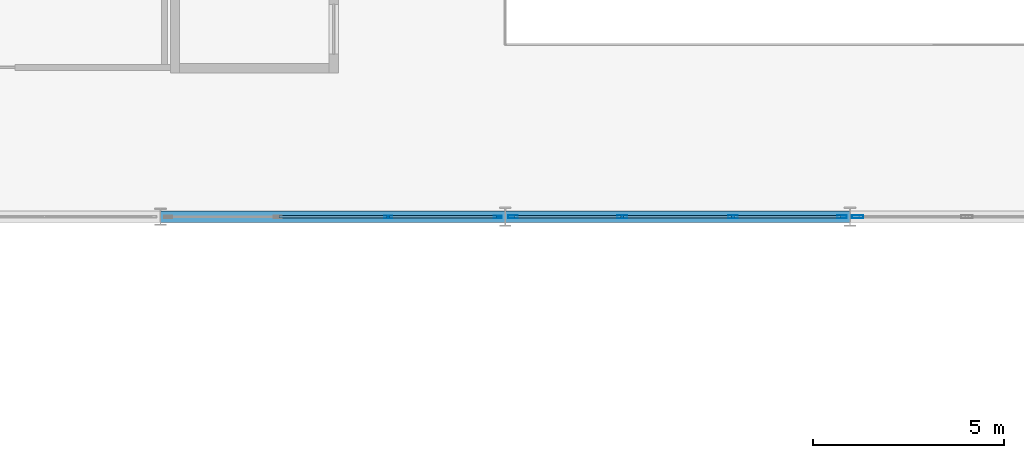
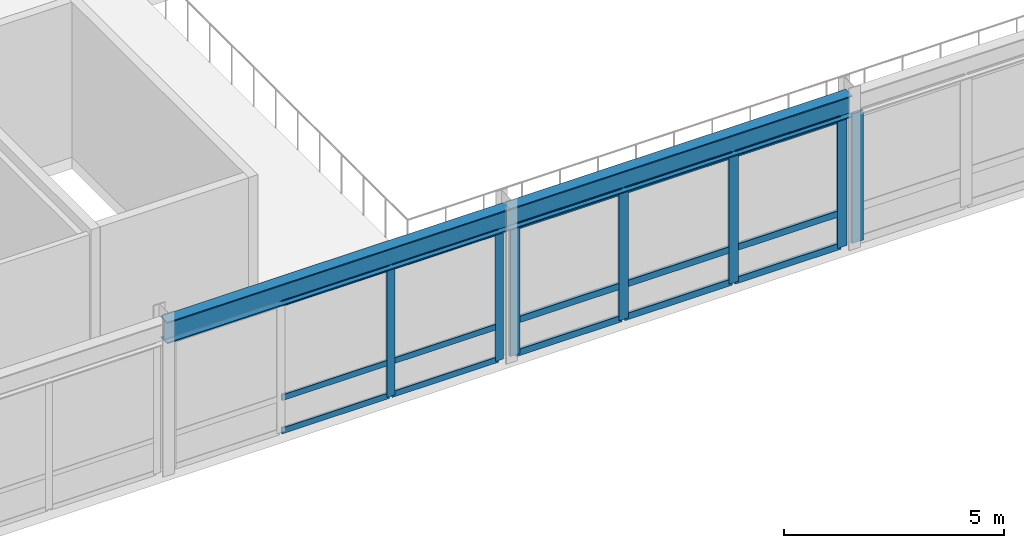
# One storey, part 53 of 115: 22 members, 2 beams, 3 elements without a shape of their own.
"""IFC4 building model written with IfcOpenShell, lengths in metres."""

from ifc_helpers import new_model, si_unit, direction, frame, origin, origin_2d, place, context, subcontext, project, spatial, hollow_rectangle, i_section, extrude, material, layer, layer_set, material_profile, profile_set, type_object, element, aggregate, save


model = new_model("IFC4")

# Units and contexts
model_context = context("Model", 3, precision=1e-05, world=origin(), true_north=direction((0.0, 1.0)))
body_context = subcontext(model_context, "Body", "Model", "MODEL_VIEW")
ifc_project = project(units=[si_unit("LENGTHUNIT", "METRE"), si_unit("AREAUNIT", "SQUARE_METRE"), si_unit("VOLUMEUNIT", "CUBIC_METRE"), si_unit("PLANEANGLEUNIT", "RADIAN"), si_unit("MASSUNIT", "GRAM", prefix="KILO")], contexts=[model_context])

# Site, building, storey
site_placement = place(None, origin())
site = spatial("IfcSite", under=ifc_project, at=site_placement, CompositionType="ELEMENT")
building_placement = place(site_placement, origin())
building = spatial("IfcBuilding", under=site, at=building_placement, Name="Montelvaro Courts of Justice", CompositionType="ELEMENT")
storey_placement = place(building_placement, frame((0.0, 0.0, 9.89990234375)))
storey = spatial("IfcBuildingStorey", under=building, at=storey_placement, Name="L02", CompositionType="ELEMENT", Elevation=9.89990234375)

# Beams
ifc_material_1 = material(Name="Steel S355", Category="steel")
ifc_material_profile_1 = material_profile(ifc_material_1, i_section(OverallWidth=0.300048828125, OverallDepth=0.60009765625, WebThickness=0.015380859375, FlangeThickness=0.030029296875, at=origin_2d()), Name="HEB 600")
ifc_profile_set_1 = profile_set([ifc_material_profile_1], Name="Steel S355")
beam_type = type_object("IfcBeamType", Name="Beam_HEB600", PredefinedType="USERDEFINED", material=ifc_profile_set_1)
for number, where, z_axis, x_axis, name in (
    (1, (27.0, 78.0, 3.900146484375), (1.0, 0.0, 0.0), (0.0, 1.0, 0.0), "V1 Roof Eave Girder"),
    (2, (36.0, 78.0, 3.900146484375), (1.0, 0.0, 0.0), (0.0, 1.0, 0.0), "V1 Roof Eave Girder"),
):
    element("IfcBeam", number, at=place(storey_placement, frame(where, z_axis=z_axis, x_axis=x_axis)), inside=storey, type_object=beam_type, Name=name, ObjectType="GIRDER", PredefinedType="USERDEFINED", context=body_context, shape_type="SweptSolid", body=[
        extrude(i_section(OverallWidth=0.300048828125, OverallDepth=0.60009765625, WebThickness=0.015380859375, FlangeThickness=0.030029296875, at=origin_2d()), origin(), (0.0, 0.0, 1.0), 9.0),
    ])

# Curtain wall, members
ifc_material_2 = material(Name="Anodised aluminium EN AW-6063", Category="aluminium")
ifc_layer = layer(ifc_material_2, 0.159912109375)
ifc_layer_set = layer_set([ifc_layer], Name="Anodised aluminium EN AW-6063")
curtain_wall_type = type_object("IfcCurtainWallType", Name="CurtainWall_14_867x418", PredefinedType="USERDEFINED", material=ifc_layer_set)
curtain_wall_1_placement = place(storey_placement, origin())
curtain_wall_1 = element("IfcCurtainWall", 3, at=curtain_wall_1_placement, inside=storey, type_object=curtain_wall_type, Name="Curtain Wall CW-14 (L02)", ObjectType="CURTAIN WALL", PredefinedType="USERDEFINED")
ifc_material_profile_2 = material_profile(ifc_material_2, hollow_rectangle(XDim=0.06494140625, YDim=0.2099609375, WallThickness=0.0048828125, at=origin_2d()), Name="ALU-M 65x210")
ifc_profile_set_2 = profile_set([ifc_material_profile_2], Name="Anodised aluminium EN AW-6063")
member_type_1 = type_object("IfcMemberType", Name="CurtainWall_Mullion_65x210", PredefinedType="MULLION", material=ifc_profile_set_2)
member_1_placement = place(storey_placement, frame((32.945068359375, 78.0, 0.0), z_axis=(0.0, 0.0, 1.0), x_axis=(0.0, 1.0, 0.0)))
member_1 = element("IfcMember", 4, at=member_1_placement, type_object=member_type_1, Name="CW-14 mullion 3", PredefinedType="MULLION", context=body_context, shape_type="SweptSolid", body=[
    extrude(hollow_rectangle(XDim=0.06494140625, YDim=0.2099609375, WallThickness=0.0048828125, at=origin_2d()), origin(), (0.0, 0.0, 1.0), 3.59521484375),
])
member_2_placement = place(storey_placement, frame((35.802490234375, 78.0, 0.0), z_axis=(0.0, 0.0, 1.0), x_axis=(0.0, 1.0, 0.0)))
member_2 = element("IfcMember", 5, at=member_2_placement, type_object=member_type_1, Name="CW-14 mullion 4", PredefinedType="MULLION", context=body_context, shape_type="SweptSolid", body=[
    extrude(hollow_rectangle(XDim=0.06494140625, YDim=0.2099609375, WallThickness=0.0048828125, at=origin_2d()), origin(), (0.0, 0.0, 1.0), 3.59521484375),
])

curtain_wall_2_placement = place(storey_placement, origin())
curtain_wall_2 = element("IfcCurtainWall", 6, at=curtain_wall_2_placement, inside=storey, type_object=curtain_wall_type, Name="Curtain Wall CW-14 (L02)", ObjectType="CURTAIN WALL", PredefinedType="USERDEFINED")
ifc_material_profile_3 = material_profile(ifc_material_2, hollow_rectangle(XDim=0.074951171875, YDim=0.25, WallThickness=0.005615234375, at=origin_2d()), Name="ALU-M 75x250")
ifc_profile_set_3 = profile_set([ifc_material_profile_3], Name="Anodised aluminium EN AW-6063")
member_type_2 = type_object("IfcMemberType", Name="CurtainWall_Mullion_75x250", PredefinedType="MULLION", material=ifc_profile_set_3)
member_3_placement = place(storey_placement, frame((36.202392578125, 78.0, 0.0), z_axis=(0.0, 0.0, 1.0), x_axis=(0.0, 1.0, 0.0)))
member_3 = element("IfcMember", 7, at=member_3_placement, type_object=member_type_2, Name="CW-14 mullion 1", PredefinedType="MULLION", context=body_context, shape_type="SweptSolid", body=[
    extrude(hollow_rectangle(XDim=0.074951171875, YDim=0.25, WallThickness=0.005615234375, at=origin_2d()), origin(), (0.0, 0.0, 1.0), 3.59521484375),
])
member_4_placement = place(storey_placement, frame((39.054931640625, 78.0, 0.0), z_axis=(0.0, 0.0, 1.0), x_axis=(0.0, 1.0, 0.0)))
member_4 = element("IfcMember", 8, at=member_4_placement, type_object=member_type_2, Name="CW-14 mullion 2", PredefinedType="MULLION", context=body_context, shape_type="SweptSolid", body=[
    extrude(hollow_rectangle(XDim=0.074951171875, YDim=0.25, WallThickness=0.005615234375, at=origin_2d()), origin(), (0.0, 0.0, 1.0), 3.59521484375),
])
member_5_placement = place(storey_placement, frame((41.945068359375, 78.0, 0.0), z_axis=(0.0, 0.0, 1.0), x_axis=(0.0, 1.0, 0.0)))
member_5 = element("IfcMember", 9, at=member_5_placement, type_object=member_type_2, Name="CW-14 mullion 3", PredefinedType="MULLION", context=body_context, shape_type="SweptSolid", body=[
    extrude(hollow_rectangle(XDim=0.074951171875, YDim=0.25, WallThickness=0.005615234375, at=origin_2d()), origin(), (0.0, 0.0, 1.0), 3.59521484375),
])
member_6_placement = place(storey_placement, frame((44.797607421875, 78.0, 0.0), z_axis=(0.0, 0.0, 1.0), x_axis=(0.0, 1.0, 0.0)))
member_6 = element("IfcMember", 10, at=member_6_placement, type_object=member_type_2, Name="CW-14 mullion 4", PredefinedType="MULLION", context=body_context, shape_type="SweptSolid", body=[
    extrude(hollow_rectangle(XDim=0.074951171875, YDim=0.25, WallThickness=0.005615234375, at=origin_2d()), origin(), (0.0, 0.0, 1.0), 3.59521484375),
])

# Curtain wall, member
curtain_wall_3_placement = place(storey_placement, origin())
curtain_wall_3 = element("IfcCurtainWall", 11, at=curtain_wall_3_placement, inside=storey, type_object=curtain_wall_type, Name="Curtain Wall CW-14 (L02)", ObjectType="CURTAIN WALL", PredefinedType="USERDEFINED")
ifc_material_profile_4 = material_profile(ifc_material_2, hollow_rectangle(XDim=0.074951171875, YDim=0.300048828125, WallThickness=0.006103515625, at=origin_2d()), Name="ALU-M 75x300")
ifc_profile_set_4 = profile_set([ifc_material_profile_4], Name="Anodised aluminium EN AW-6063")
member_type_3 = type_object("IfcMemberType", Name="CurtainWall_Mullion_75x300", PredefinedType="MULLION", material=ifc_profile_set_4)
member_7_placement = place(storey_placement, frame((45.202392578125, 78.0, 0.0), z_axis=(0.0, 0.0, 1.0), x_axis=(0.0, 1.0, 0.0)))
member_7 = element("IfcMember", 12, at=member_7_placement, type_object=member_type_3, Name="CW-14 mullion 1", PredefinedType="MULLION", context=body_context, shape_type="SweptSolid", body=[
    extrude(hollow_rectangle(XDim=0.074951171875, YDim=0.300048828125, WallThickness=0.006103515625, at=origin_2d()), origin(), (0.0, 0.0, 1.0), 3.59521484375),
])
aggregate(curtain_wall_3, [member_7])

# Member
ifc_material_profile_5 = material_profile(ifc_material_2, hollow_rectangle(XDim=0.06005859375, YDim=0.159912109375, WallThickness=0.00439453125, at=origin_2d()), Name="ALU-T 60x160")
ifc_profile_set_5 = profile_set([ifc_material_profile_5], Name="Anodised aluminium EN AW-6063")
member_type_4 = type_object("IfcMemberType", Name="CurtainWall_Transom_60x160", PredefinedType="USERDEFINED", material=ifc_profile_set_5)
member_8_placement = place(storey_placement, frame((30.08740234375, 78.0, 0.030029296875), z_axis=(1.0, 0.0, 0.0), x_axis=(0.0, 1.0, 0.0)))
member_8 = element("IfcMember", 13, at=member_8_placement, type_object=member_type_4, Name="CW-14 transom 2.1", ObjectType="TRANSOM", PredefinedType="USERDEFINED", context=body_context, shape_type="SweptSolid", body=[
    extrude(hollow_rectangle(XDim=0.06005859375, YDim=0.159912109375, WallThickness=0.00439453125, at=origin_2d()), origin(), (0.0, 0.0, 1.0), 2.8251953125),
])

member_9_placement = place(storey_placement, frame((30.08740234375, 78.0, 0.9501953125), z_axis=(1.0, 0.0, 0.0), x_axis=(0.0, 1.0, 0.0)))
member_9 = element("IfcMember", 14, at=member_9_placement, type_object=member_type_4, Name="CW-14 transom 2.2", ObjectType="TRANSOM", PredefinedType="USERDEFINED", context=body_context, shape_type="SweptSolid", body=[
    extrude(hollow_rectangle(XDim=0.06005859375, YDim=0.159912109375, WallThickness=0.00439453125, at=origin_2d()), origin(), (0.0, 0.0, 1.0), 2.8251953125),
])

member_10_placement = place(storey_placement, frame((30.08740234375, 78.0, 3.565185546875), z_axis=(1.0, 0.0, 0.0), x_axis=(0.0, 1.0, 0.0)))
member_10 = element("IfcMember", 15, at=member_10_placement, type_object=member_type_4, Name="CW-14 transom 2.3", ObjectType="TRANSOM", PredefinedType="USERDEFINED", context=body_context, shape_type="SweptSolid", body=[
    extrude(hollow_rectangle(XDim=0.06005859375, YDim=0.159912109375, WallThickness=0.00439453125, at=origin_2d()), origin(), (0.0, 0.0, 1.0), 2.8251953125),
])

member_11_placement = place(storey_placement, frame((32.9775390625, 78.0, 0.030029296875), z_axis=(1.0, 0.0, 0.0), x_axis=(0.0, 1.0, 0.0)))
member_11 = element("IfcMember", 16, at=member_11_placement, type_object=member_type_4, Name="CW-14 transom 3.1", ObjectType="TRANSOM", PredefinedType="USERDEFINED", context=body_context, shape_type="SweptSolid", body=[
    extrude(hollow_rectangle(XDim=0.06005859375, YDim=0.159912109375, WallThickness=0.00439453125, at=origin_2d()), origin(), (0.0, 0.0, 1.0), 2.79248046875),
])

member_12_placement = place(storey_placement, frame((32.9775390625, 78.0, 0.9501953125), z_axis=(1.0, 0.0, 0.0), x_axis=(0.0, 1.0, 0.0)))
member_12 = element("IfcMember", 17, at=member_12_placement, type_object=member_type_4, Name="CW-14 transom 3.2", ObjectType="TRANSOM", PredefinedType="USERDEFINED", context=body_context, shape_type="SweptSolid", body=[
    extrude(hollow_rectangle(XDim=0.06005859375, YDim=0.159912109375, WallThickness=0.00439453125, at=origin_2d()), origin(), (0.0, 0.0, 1.0), 2.79248046875),
])

member_13_placement = place(storey_placement, frame((32.9775390625, 78.0, 3.565185546875), z_axis=(1.0, 0.0, 0.0), x_axis=(0.0, 1.0, 0.0)))
member_13 = element("IfcMember", 18, at=member_13_placement, type_object=member_type_4, Name="CW-14 transom 3.3", ObjectType="TRANSOM", PredefinedType="USERDEFINED", context=body_context, shape_type="SweptSolid", body=[
    extrude(hollow_rectangle(XDim=0.06005859375, YDim=0.159912109375, WallThickness=0.00439453125, at=origin_2d()), origin(), (0.0, 0.0, 1.0), 2.79248046875),
])

aggregate(curtain_wall_1, [member_1, member_2, member_8, member_9, member_10, member_11, member_12, member_13])

ifc_material_profile_6 = material_profile(ifc_material_2, hollow_rectangle(XDim=0.074951171875, YDim=0.179931640625, WallThickness=0.0048828125, at=origin_2d()), Name="ALU-T 75x180")
ifc_profile_set_6 = profile_set([ifc_material_profile_6], Name="Anodised aluminium EN AW-6063")
member_type_5 = type_object("IfcMemberType", Name="CurtainWall_Transom_75x180", PredefinedType="USERDEFINED", material=ifc_profile_set_6)
member_14_placement = place(storey_placement, frame((36.239990234375, 78.0, 0.03759765625), z_axis=(1.0, 0.0, 0.0), x_axis=(0.0, 1.0, 0.0)))
member_14 = element("IfcMember", 19, at=member_14_placement, type_object=member_type_5, Name="CW-14 transom 1.1", ObjectType="TRANSOM", PredefinedType="USERDEFINED", context=body_context, shape_type="SweptSolid", body=[
    extrude(hollow_rectangle(XDim=0.074951171875, YDim=0.179931640625, WallThickness=0.0048828125, at=origin_2d()), origin(), (0.0, 0.0, 1.0), 2.777587890625),
])

member_15_placement = place(storey_placement, frame((36.239990234375, 78.0, 0.9501953125), z_axis=(1.0, 0.0, 0.0), x_axis=(0.0, 1.0, 0.0)))
member_15 = element("IfcMember", 20, at=member_15_placement, type_object=member_type_5, Name="CW-14 transom 1.2", ObjectType="TRANSOM", PredefinedType="USERDEFINED", context=body_context, shape_type="SweptSolid", body=[
    extrude(hollow_rectangle(XDim=0.074951171875, YDim=0.179931640625, WallThickness=0.0048828125, at=origin_2d()), origin(), (0.0, 0.0, 1.0), 2.777587890625),
])

member_16_placement = place(storey_placement, frame((36.239990234375, 78.0, 3.5576171875), z_axis=(1.0, 0.0, 0.0), x_axis=(0.0, 1.0, 0.0)))
member_16 = element("IfcMember", 21, at=member_16_placement, type_object=member_type_5, Name="CW-14 transom 1.3", ObjectType="TRANSOM", PredefinedType="USERDEFINED", context=body_context, shape_type="SweptSolid", body=[
    extrude(hollow_rectangle(XDim=0.074951171875, YDim=0.179931640625, WallThickness=0.0048828125, at=origin_2d()), origin(), (0.0, 0.0, 1.0), 2.777587890625),
])

member_17_placement = place(storey_placement, frame((39.092529296875, 78.0, 0.03759765625), z_axis=(1.0, 0.0, 0.0), x_axis=(0.0, 1.0, 0.0)))
member_17 = element("IfcMember", 22, at=member_17_placement, type_object=member_type_5, Name="CW-14 transom 2.1", ObjectType="TRANSOM", PredefinedType="USERDEFINED", context=body_context, shape_type="SweptSolid", body=[
    extrude(hollow_rectangle(XDim=0.074951171875, YDim=0.179931640625, WallThickness=0.0048828125, at=origin_2d()), origin(), (0.0, 0.0, 1.0), 2.81494140625),
])

member_18_placement = place(storey_placement, frame((39.092529296875, 78.0, 0.9501953125), z_axis=(1.0, 0.0, 0.0), x_axis=(0.0, 1.0, 0.0)))
member_18 = element("IfcMember", 23, at=member_18_placement, type_object=member_type_5, Name="CW-14 transom 2.2", ObjectType="TRANSOM", PredefinedType="USERDEFINED", context=body_context, shape_type="SweptSolid", body=[
    extrude(hollow_rectangle(XDim=0.074951171875, YDim=0.179931640625, WallThickness=0.0048828125, at=origin_2d()), origin(), (0.0, 0.0, 1.0), 2.81494140625),
])

member_19_placement = place(storey_placement, frame((39.092529296875, 78.0, 3.5576171875), z_axis=(1.0, 0.0, 0.0), x_axis=(0.0, 1.0, 0.0)))
member_19 = element("IfcMember", 24, at=member_19_placement, type_object=member_type_5, Name="CW-14 transom 2.3", ObjectType="TRANSOM", PredefinedType="USERDEFINED", context=body_context, shape_type="SweptSolid", body=[
    extrude(hollow_rectangle(XDim=0.074951171875, YDim=0.179931640625, WallThickness=0.0048828125, at=origin_2d()), origin(), (0.0, 0.0, 1.0), 2.81494140625),
])

member_20_placement = place(storey_placement, frame((41.982421875, 78.0, 0.03759765625), z_axis=(1.0, 0.0, 0.0), x_axis=(0.0, 1.0, 0.0)))
member_20 = element("IfcMember", 25, at=member_20_placement, type_object=member_type_5, Name="CW-14 transom 3.1", ObjectType="TRANSOM", PredefinedType="USERDEFINED", context=body_context, shape_type="SweptSolid", body=[
    extrude(hollow_rectangle(XDim=0.074951171875, YDim=0.179931640625, WallThickness=0.0048828125, at=origin_2d()), origin(), (0.0, 0.0, 1.0), 2.777587890625),
])

member_21_placement = place(storey_placement, frame((41.982421875, 78.0, 0.9501953125), z_axis=(1.0, 0.0, 0.0), x_axis=(0.0, 1.0, 0.0)))
member_21 = element("IfcMember", 26, at=member_21_placement, type_object=member_type_5, Name="CW-14 transom 3.2", ObjectType="TRANSOM", PredefinedType="USERDEFINED", context=body_context, shape_type="SweptSolid", body=[
    extrude(hollow_rectangle(XDim=0.074951171875, YDim=0.179931640625, WallThickness=0.0048828125, at=origin_2d()), origin(), (0.0, 0.0, 1.0), 2.777587890625),
])

member_22_placement = place(storey_placement, frame((41.982421875, 78.0, 3.5576171875), z_axis=(1.0, 0.0, 0.0), x_axis=(0.0, 1.0, 0.0)))
member_22 = element("IfcMember", 27, at=member_22_placement, type_object=member_type_5, Name="CW-14 transom 3.3", ObjectType="TRANSOM", PredefinedType="USERDEFINED", context=body_context, shape_type="SweptSolid", body=[
    extrude(hollow_rectangle(XDim=0.074951171875, YDim=0.179931640625, WallThickness=0.0048828125, at=origin_2d()), origin(), (0.0, 0.0, 1.0), 2.777587890625),
])

aggregate(curtain_wall_2, [member_3, member_4, member_5, member_6, member_14, member_15, member_16, member_17, member_18, member_19, member_20, member_21, member_22])

save(model, "model.ifc")
